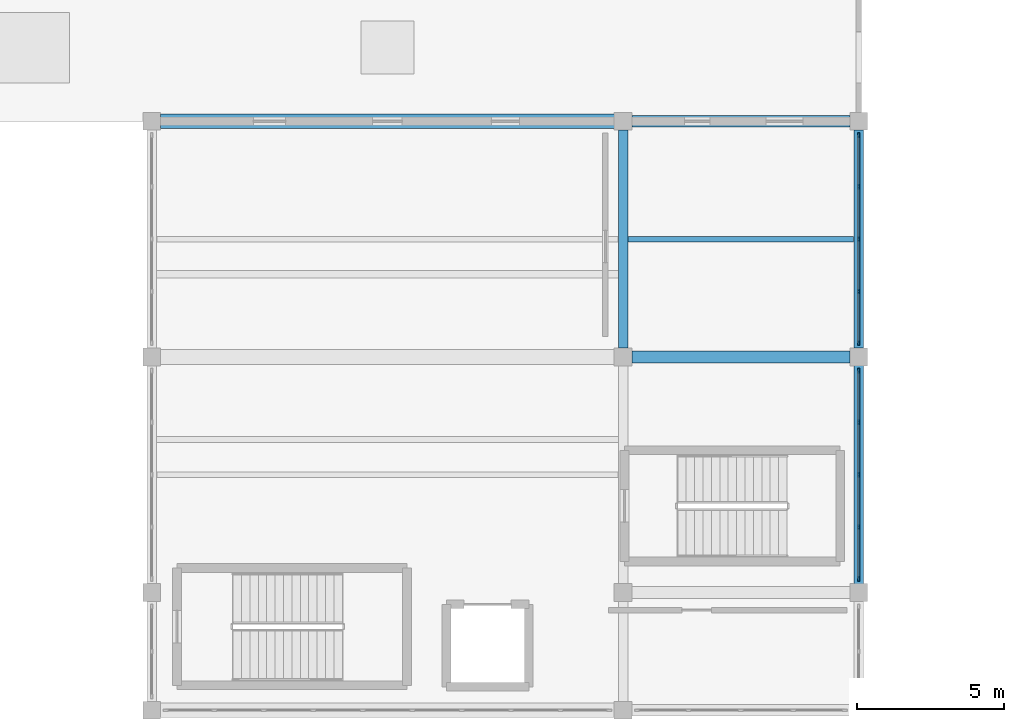
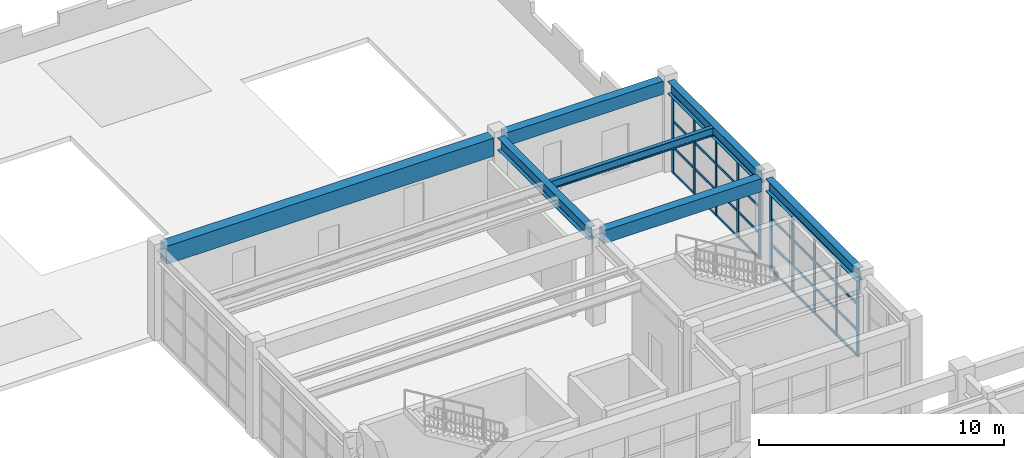
# One storey, part 23 of 59: 42 members, 7 beams, 2 elements without a shape of their own.
"""IFC4 building model written with IfcOpenShell, lengths in metres."""

from ifc_helpers import new_model, si_unit, direction, frame, origin, origin_2d, place, context, subcontext, project, spatial, rectangle, i_section, extrude, material, material_profile, profile_set, type_object, element, aggregate, save


model = new_model("IFC4")

# Units and contexts
model_context = context("Model", 3, precision=1e-05, world=origin(), true_north=direction((0.0, 1.0)))
body_context = subcontext(model_context, "Body", "Model", "MODEL_VIEW")
ifc_project = project(units=[si_unit("LENGTHUNIT", "METRE"), si_unit("AREAUNIT", "SQUARE_METRE"), si_unit("VOLUMEUNIT", "CUBIC_METRE"), si_unit("PLANEANGLEUNIT", "RADIAN"), si_unit("MASSUNIT", "GRAM", prefix="KILO")], contexts=[model_context])

# Site, building, storey
site_placement = place(None, origin())
site = spatial("IfcSite", under=ifc_project, at=site_placement, CompositionType="ELEMENT")
building_placement = place(site_placement, origin())
building = spatial("IfcBuilding", under=site, at=building_placement, Name="Serraluz Foothill Cableway Terminal", CompositionType="ELEMENT")
storey_placement = place(building_placement, frame((0.0, 0.0, 4.800048828125)))
storey = spatial("IfcBuildingStorey", under=building, at=storey_placement, Name="L01", CompositionType="ELEMENT", Elevation=4.800048828125)

# Beams
ifc_material_1 = material(Name="Concrete C28/35 (f'c 28 MPa)", Category="concrete")
ifc_material_profile_1 = material_profile(ifc_material_1, rectangle(XDim=0.39990234375, YDim=0.64990234375, at=origin_2d()), Name="RC 400x650")
ifc_profile_set_1 = profile_set([ifc_material_profile_1], Name="Concrete C28/35 (f'c 28 MPa)")
beam_type_1 = type_object("IfcBeamType", Name="TYP-BM-RC400X650", PredefinedType="BEAM", material=ifc_profile_set_1)
for number, where, z_axis, x_axis, name in (
    (1, (96.2958984375, 88.0, 4.175048828125), (1.0, 0.0, 0.0), (0.0, 1.0, 0.0), "Primary Girder BM-X-L01-0238"),
    (2, (96.2958984375, 96.0, 4.175048828125), (1.0, 0.0, 0.0), (0.0, 1.0, 0.0), "Primary Girder BM-X-L01-0240"),
):
    element("IfcBeam", number, at=place(storey_placement, frame(where, z_axis=z_axis, x_axis=x_axis)), inside=storey, type_object=beam_type_1, Name=name, PredefinedType="BEAM", context=body_context, shape_type="SweptSolid", body=[
        extrude(rectangle(XDim=0.39990234375, YDim=0.64990234375, at=origin_2d()), origin(), (0.0, 0.0, 1.0), 7.408203125),
    ])
ifc_material_2 = material(Name="Concrete C35/45 (f'c 35 MPa)", Category="concrete")
ifc_material_profile_2 = material_profile(ifc_material_2, rectangle(XDim=0.5, YDim=0.89990234375, at=origin_2d()), Name="RC 500x900")
ifc_profile_set_2 = profile_set([ifc_material_profile_2], Name="Concrete C35/45 (f'c 35 MPa)")
beam_type_2 = type_object("IfcBeamType", Name="TYP-BM-RC500X900", PredefinedType="BEAM", material=ifc_profile_set_2)
beam_1_placement = place(storey_placement, frame((80.2958984375, 96.0, 4.050048828125), z_axis=(1.0, 0.0, 0.0), x_axis=(0.0, 1.0, 0.0)))
element("IfcBeam", 3, at=beam_1_placement, inside=storey, type_object=beam_type_2, Name="Primary Girder BM-X-L01-0239", PredefinedType="BEAM", context=body_context, shape_type="SweptSolid", body=[
    extrude(rectangle(XDim=0.5, YDim=0.89990234375, at=origin_2d()), origin(), (0.0, 0.0, 1.0), 15.408203125),
])
ifc_material_3 = material(Name="Steel ASTM A992 Grade 50", Category="steel")
ifc_material_profile_3 = material_profile(ifc_material_3, i_section(OverallWidth=0.324951171875, OverallDepth=0.615966796875, WebThickness=0.013916015625, FlangeThickness=0.021484375, FilletRadius=0.01806640625, at=origin_2d()), Name="W24X117")
ifc_profile_set_3 = profile_set([ifc_material_profile_3], Name="Steel ASTM A992 Grade 50")
beam_type_3 = type_object("IfcBeamType", Name="TYP-BM-W24X117", PredefinedType="BEAM", material=ifc_profile_set_3)
for number, where, z_axis, x_axis, name in (
    (4, (96.0, 88.2958984375, 4.19189453125), (0.0, 1.0, 0.0), (-1.0, 0.0, 0.0), "Transverse Girder BM-Y-L01-0268"),
    (5, (104.0, 80.2958984375, 4.19189453125), (0.0, 1.0, 0.0), (-1.0, 0.0, 0.0), "Transverse Girder BM-Y-L01-0271"),
    (6, (104.0, 88.2958984375, 4.19189453125), (0.0, 1.0, 0.0), (-1.0, 0.0, 0.0), "Transverse Girder BM-Y-L01-0272"),
):
    element("IfcBeam", number, at=place(storey_placement, frame(where, z_axis=z_axis, x_axis=x_axis)), inside=storey, type_object=beam_type_3, Name=name, PredefinedType="BEAM", context=body_context, shape_type="SweptSolid", body=[
        extrude(i_section(OverallWidth=0.324951171875, OverallDepth=0.615966796875, WebThickness=0.013916015625, FlangeThickness=0.021484375, FilletRadius=0.01806640625, at=origin_2d()), origin(), (0.0, 0.0, 1.0), 7.408203125),
    ])

# Curtain wall, members
ifc_material_4 = material(Name="Architectural bronze alloy C28000", Category="aluminium")
curtain_wall_type = type_object("IfcCurtainWallType", Name="TYP-CW-680X420", PredefinedType="NOTDEFINED", material=ifc_material_4)
curtain_wall_1_placement = place(storey_placement, origin())
curtain_wall_1 = element("IfcCurtainWall", 7, at=curtain_wall_1_placement, inside=storey, type_object=curtain_wall_type, Name="Ribbed Glazed Curtain Wall CW-V4E-L01-80", PredefinedType="NOTDEFINED")
ifc_material_profile_4 = material_profile(ifc_material_4, rectangle(XDim=0.06005859375, YDim=0.159912109375, at=origin_2d()), Name="ALU MULLION 60x160")
ifc_profile_set_4 = profile_set([ifc_material_profile_4], Name="Architectural bronze alloy C28000")
member_type_1 = type_object("IfcMemberType", Name="TYP-CW-MUL-60X160", PredefinedType="MULLION", material=ifc_profile_set_4)
member_1_placement = place(storey_placement, frame((104.0, 87.530029296875, 0.0), z_axis=(0.0, 0.0, 1.0), x_axis=(1.0, 0.0, 0.0)))
member_1 = element("IfcMember", 8, at=member_1_placement, type_object=member_type_1, Name="CW-13 mullion 1", PredefinedType="MULLION", context=body_context, shape_type="SweptSolid", body=[
    extrude(rectangle(XDim=0.06005859375, YDim=0.159912109375, at=origin_2d()), origin(), (0.0, 0.0, 1.0), 3.884033203125),
])
member_2_placement = place(storey_placement, frame((104.0, 85.780029296875, 0.0), z_axis=(0.0, 0.0, 1.0), x_axis=(1.0, 0.0, 0.0)))
member_2 = element("IfcMember", 9, at=member_2_placement, type_object=member_type_1, Name="CW-13 mullion 2", PredefinedType="MULLION", context=body_context, shape_type="SweptSolid", body=[
    extrude(rectangle(XDim=0.06005859375, YDim=0.159912109375, at=origin_2d()), origin(), (0.0, 0.0, 1.0), 3.884033203125),
])
member_3_placement = place(storey_placement, frame((104.0, 84.0, 0.0), z_axis=(0.0, 0.0, 1.0), x_axis=(1.0, 0.0, 0.0)))
member_3 = element("IfcMember", 10, at=member_3_placement, type_object=member_type_1, Name="CW-13 mullion 3", PredefinedType="MULLION", context=body_context, shape_type="SweptSolid", body=[
    extrude(rectangle(XDim=0.06005859375, YDim=0.159912109375, at=origin_2d()), origin(), (0.0, 0.0, 1.0), 3.884033203125),
])
member_4_placement = place(storey_placement, frame((104.0, 82.219970703125, 0.0), z_axis=(0.0, 0.0, 1.0), x_axis=(1.0, 0.0, 0.0)))
member_4 = element("IfcMember", 11, at=member_4_placement, type_object=member_type_1, Name="CW-13 mullion 4", PredefinedType="MULLION", context=body_context, shape_type="SweptSolid", body=[
    extrude(rectangle(XDim=0.06005859375, YDim=0.159912109375, at=origin_2d()), origin(), (0.0, 0.0, 1.0), 3.884033203125),
])
member_5_placement = place(storey_placement, frame((104.0, 80.469970703125, 0.0), z_axis=(0.0, 0.0, 1.0), x_axis=(1.0, 0.0, 0.0)))
member_5 = element("IfcMember", 12, at=member_5_placement, type_object=member_type_1, Name="CW-13 mullion 5", PredefinedType="MULLION", context=body_context, shape_type="SweptSolid", body=[
    extrude(rectangle(XDim=0.06005859375, YDim=0.159912109375, at=origin_2d()), origin(), (0.0, 0.0, 1.0), 3.884033203125),
])

curtain_wall_2_placement = place(storey_placement, origin())
curtain_wall_2 = element("IfcCurtainWall", 13, at=curtain_wall_2_placement, inside=storey, type_object=curtain_wall_type, Name="Ribbed Glazed Curtain Wall CW-V4E-L01-88", PredefinedType="NOTDEFINED")
member_6_placement = place(storey_placement, frame((104.0, 95.530029296875, 0.0), z_axis=(0.0, 0.0, 1.0), x_axis=(1.0, 0.0, 0.0)))
member_6 = element("IfcMember", 14, at=member_6_placement, type_object=member_type_1, Name="CW-13 mullion 1", PredefinedType="MULLION", context=body_context, shape_type="SweptSolid", body=[
    extrude(rectangle(XDim=0.06005859375, YDim=0.159912109375, at=origin_2d()), origin(), (0.0, 0.0, 1.0), 3.884033203125),
])
member_7_placement = place(storey_placement, frame((104.0, 93.780029296875, 0.0), z_axis=(0.0, 0.0, 1.0), x_axis=(1.0, 0.0, 0.0)))
member_7 = element("IfcMember", 15, at=member_7_placement, type_object=member_type_1, Name="CW-13 mullion 2", PredefinedType="MULLION", context=body_context, shape_type="SweptSolid", body=[
    extrude(rectangle(XDim=0.06005859375, YDim=0.159912109375, at=origin_2d()), origin(), (0.0, 0.0, 1.0), 3.884033203125),
])
member_8_placement = place(storey_placement, frame((104.0, 92.0, 0.0), z_axis=(0.0, 0.0, 1.0), x_axis=(1.0, 0.0, 0.0)))
member_8 = element("IfcMember", 16, at=member_8_placement, type_object=member_type_1, Name="CW-13 mullion 3", PredefinedType="MULLION", context=body_context, shape_type="SweptSolid", body=[
    extrude(rectangle(XDim=0.06005859375, YDim=0.159912109375, at=origin_2d()), origin(), (0.0, 0.0, 1.0), 3.884033203125),
])
member_9_placement = place(storey_placement, frame((104.0, 90.219970703125, 0.0), z_axis=(0.0, 0.0, 1.0), x_axis=(1.0, 0.0, 0.0)))
member_9 = element("IfcMember", 17, at=member_9_placement, type_object=member_type_1, Name="CW-13 mullion 4", PredefinedType="MULLION", context=body_context, shape_type="SweptSolid", body=[
    extrude(rectangle(XDim=0.06005859375, YDim=0.159912109375, at=origin_2d()), origin(), (0.0, 0.0, 1.0), 3.884033203125),
])
member_10_placement = place(storey_placement, frame((104.0, 88.469970703125, 0.0), z_axis=(0.0, 0.0, 1.0), x_axis=(1.0, 0.0, 0.0)))
member_10 = element("IfcMember", 18, at=member_10_placement, type_object=member_type_1, Name="CW-13 mullion 5", PredefinedType="MULLION", context=body_context, shape_type="SweptSolid", body=[
    extrude(rectangle(XDim=0.06005859375, YDim=0.159912109375, at=origin_2d()), origin(), (0.0, 0.0, 1.0), 3.884033203125),
])

# Member
ifc_material_profile_5 = material_profile(ifc_material_4, rectangle(XDim=0.06005859375, YDim=0.1201171875, at=origin_2d()), Name="ALU TRANSOM 60x120")
ifc_profile_set_5 = profile_set([ifc_material_profile_5], Name="Architectural bronze alloy C28000")
member_type_2 = type_object("IfcMemberType", Name="TYP-CW-TRN-60X120", PredefinedType="USERDEFINED", material=ifc_profile_set_5)
member_11_placement = place(storey_placement, frame((104.0, 87.5, 0.030029296875), z_axis=(0.0, -1.0, 0.0), x_axis=(1.0, 0.0, 0.0)))
member_11 = element("IfcMember", 19, at=member_11_placement, type_object=member_type_2, Name="CW-13 transom 1.1", ObjectType="TRANSOM", PredefinedType="USERDEFINED", context=body_context, shape_type="SweptSolid", body=[
    extrude(rectangle(XDim=0.06005859375, YDim=0.1201171875, at=origin_2d()), origin(), (0.0, 0.0, 1.0), 1.68994140625),
])

member_12_placement = place(storey_placement, frame((104.0, 87.5, 1.294677734375), z_axis=(0.0, -1.0, 0.0), x_axis=(1.0, 0.0, 0.0)))
member_12 = element("IfcMember", 20, at=member_12_placement, type_object=member_type_2, Name="CW-13 transom 1.2", ObjectType="TRANSOM", PredefinedType="USERDEFINED", context=body_context, shape_type="SweptSolid", body=[
    extrude(rectangle(XDim=0.06005859375, YDim=0.1201171875, at=origin_2d()), origin(), (0.0, 0.0, 1.0), 1.68994140625),
])

member_13_placement = place(storey_placement, frame((104.0, 87.5, 2.58935546875), z_axis=(0.0, -1.0, 0.0), x_axis=(1.0, 0.0, 0.0)))
member_13 = element("IfcMember", 21, at=member_13_placement, type_object=member_type_2, Name="CW-13 transom 1.3", ObjectType="TRANSOM", PredefinedType="USERDEFINED", context=body_context, shape_type="SweptSolid", body=[
    extrude(rectangle(XDim=0.06005859375, YDim=0.1201171875, at=origin_2d()), origin(), (0.0, 0.0, 1.0), 1.68994140625),
])

member_14_placement = place(storey_placement, frame((104.0, 87.5, 3.85400390625), z_axis=(0.0, -1.0, 0.0), x_axis=(1.0, 0.0, 0.0)))
member_14 = element("IfcMember", 22, at=member_14_placement, type_object=member_type_2, Name="CW-13 transom 1.4", ObjectType="TRANSOM", PredefinedType="USERDEFINED", context=body_context, shape_type="SweptSolid", body=[
    extrude(rectangle(XDim=0.06005859375, YDim=0.1201171875, at=origin_2d()), origin(), (0.0, 0.0, 1.0), 1.68994140625),
])

member_15_placement = place(storey_placement, frame((104.0, 85.75, 0.030029296875), z_axis=(0.0, -1.0, 0.0), x_axis=(1.0, 0.0, 0.0)))
member_15 = element("IfcMember", 23, at=member_15_placement, type_object=member_type_2, Name="CW-13 transom 2.1", ObjectType="TRANSOM", PredefinedType="USERDEFINED", context=body_context, shape_type="SweptSolid", body=[
    extrude(rectangle(XDim=0.06005859375, YDim=0.1201171875, at=origin_2d()), origin(), (0.0, 0.0, 1.0), 1.719970703125),
])

member_16_placement = place(storey_placement, frame((104.0, 85.75, 1.294677734375), z_axis=(0.0, -1.0, 0.0), x_axis=(1.0, 0.0, 0.0)))
member_16 = element("IfcMember", 24, at=member_16_placement, type_object=member_type_2, Name="CW-13 transom 2.2", ObjectType="TRANSOM", PredefinedType="USERDEFINED", context=body_context, shape_type="SweptSolid", body=[
    extrude(rectangle(XDim=0.06005859375, YDim=0.1201171875, at=origin_2d()), origin(), (0.0, 0.0, 1.0), 1.719970703125),
])

member_17_placement = place(storey_placement, frame((104.0, 85.75, 2.58935546875), z_axis=(0.0, -1.0, 0.0), x_axis=(1.0, 0.0, 0.0)))
member_17 = element("IfcMember", 25, at=member_17_placement, type_object=member_type_2, Name="CW-13 transom 2.3", ObjectType="TRANSOM", PredefinedType="USERDEFINED", context=body_context, shape_type="SweptSolid", body=[
    extrude(rectangle(XDim=0.06005859375, YDim=0.1201171875, at=origin_2d()), origin(), (0.0, 0.0, 1.0), 1.719970703125),
])

member_18_placement = place(storey_placement, frame((104.0, 85.75, 3.85400390625), z_axis=(0.0, -1.0, 0.0), x_axis=(1.0, 0.0, 0.0)))
member_18 = element("IfcMember", 26, at=member_18_placement, type_object=member_type_2, Name="CW-13 transom 2.4", ObjectType="TRANSOM", PredefinedType="USERDEFINED", context=body_context, shape_type="SweptSolid", body=[
    extrude(rectangle(XDim=0.06005859375, YDim=0.1201171875, at=origin_2d()), origin(), (0.0, 0.0, 1.0), 1.719970703125),
])

member_19_placement = place(storey_placement, frame((104.0, 83.969970703125, 0.030029296875), z_axis=(0.0, -1.0, 0.0), x_axis=(1.0, 0.0, 0.0)))
member_19 = element("IfcMember", 27, at=member_19_placement, type_object=member_type_2, Name="CW-13 transom 3.1", ObjectType="TRANSOM", PredefinedType="USERDEFINED", context=body_context, shape_type="SweptSolid", body=[
    extrude(rectangle(XDim=0.06005859375, YDim=0.1201171875, at=origin_2d()), origin(), (0.0, 0.0, 1.0), 1.719970703125),
])

member_20_placement = place(storey_placement, frame((104.0, 83.969970703125, 1.294677734375), z_axis=(0.0, -1.0, 0.0), x_axis=(1.0, 0.0, 0.0)))
member_20 = element("IfcMember", 28, at=member_20_placement, type_object=member_type_2, Name="CW-13 transom 3.2", ObjectType="TRANSOM", PredefinedType="USERDEFINED", context=body_context, shape_type="SweptSolid", body=[
    extrude(rectangle(XDim=0.06005859375, YDim=0.1201171875, at=origin_2d()), origin(), (0.0, 0.0, 1.0), 1.719970703125),
])

member_21_placement = place(storey_placement, frame((104.0, 83.969970703125, 2.58935546875), z_axis=(0.0, -1.0, 0.0), x_axis=(1.0, 0.0, 0.0)))
member_21 = element("IfcMember", 29, at=member_21_placement, type_object=member_type_2, Name="CW-13 transom 3.3", ObjectType="TRANSOM", PredefinedType="USERDEFINED", context=body_context, shape_type="SweptSolid", body=[
    extrude(rectangle(XDim=0.06005859375, YDim=0.1201171875, at=origin_2d()), origin(), (0.0, 0.0, 1.0), 1.719970703125),
])

member_22_placement = place(storey_placement, frame((104.0, 83.969970703125, 3.85400390625), z_axis=(0.0, -1.0, 0.0), x_axis=(1.0, 0.0, 0.0)))
member_22 = element("IfcMember", 30, at=member_22_placement, type_object=member_type_2, Name="CW-13 transom 3.4", ObjectType="TRANSOM", PredefinedType="USERDEFINED", context=body_context, shape_type="SweptSolid", body=[
    extrude(rectangle(XDim=0.06005859375, YDim=0.1201171875, at=origin_2d()), origin(), (0.0, 0.0, 1.0), 1.719970703125),
])

member_23_placement = place(storey_placement, frame((104.0, 82.18994140625, 0.030029296875), z_axis=(0.0, -1.0, 0.0), x_axis=(1.0, 0.0, 0.0)))
member_23 = element("IfcMember", 31, at=member_23_placement, type_object=member_type_2, Name="CW-13 transom 4.1", ObjectType="TRANSOM", PredefinedType="USERDEFINED", context=body_context, shape_type="SweptSolid", body=[
    extrude(rectangle(XDim=0.06005859375, YDim=0.1201171875, at=origin_2d()), origin(), (0.0, 0.0, 1.0), 1.68994140625),
])

member_24_placement = place(storey_placement, frame((104.0, 82.18994140625, 1.294677734375), z_axis=(0.0, -1.0, 0.0), x_axis=(1.0, 0.0, 0.0)))
member_24 = element("IfcMember", 32, at=member_24_placement, type_object=member_type_2, Name="CW-13 transom 4.2", ObjectType="TRANSOM", PredefinedType="USERDEFINED", context=body_context, shape_type="SweptSolid", body=[
    extrude(rectangle(XDim=0.06005859375, YDim=0.1201171875, at=origin_2d()), origin(), (0.0, 0.0, 1.0), 1.68994140625),
])

member_25_placement = place(storey_placement, frame((104.0, 82.18994140625, 2.58935546875), z_axis=(0.0, -1.0, 0.0), x_axis=(1.0, 0.0, 0.0)))
member_25 = element("IfcMember", 33, at=member_25_placement, type_object=member_type_2, Name="CW-13 transom 4.3", ObjectType="TRANSOM", PredefinedType="USERDEFINED", context=body_context, shape_type="SweptSolid", body=[
    extrude(rectangle(XDim=0.06005859375, YDim=0.1201171875, at=origin_2d()), origin(), (0.0, 0.0, 1.0), 1.68994140625),
])

member_26_placement = place(storey_placement, frame((104.0, 82.18994140625, 3.85400390625), z_axis=(0.0, -1.0, 0.0), x_axis=(1.0, 0.0, 0.0)))
member_26 = element("IfcMember", 34, at=member_26_placement, type_object=member_type_2, Name="CW-13 transom 4.4", ObjectType="TRANSOM", PredefinedType="USERDEFINED", context=body_context, shape_type="SweptSolid", body=[
    extrude(rectangle(XDim=0.06005859375, YDim=0.1201171875, at=origin_2d()), origin(), (0.0, 0.0, 1.0), 1.68994140625),
])

aggregate(curtain_wall_1, [member_1, member_2, member_3, member_4, member_5, member_11, member_12, member_13, member_14, member_15, member_16, member_17, member_18, member_19, member_20, member_21, member_22, member_23, member_24, member_25, member_26])

member_27_placement = place(storey_placement, frame((104.0, 95.5, 0.030029296875), z_axis=(0.0, -1.0, 0.0), x_axis=(1.0, 0.0, 0.0)))
member_27 = element("IfcMember", 35, at=member_27_placement, type_object=member_type_2, Name="CW-13 transom 1.1", ObjectType="TRANSOM", PredefinedType="USERDEFINED", context=body_context, shape_type="SweptSolid", body=[
    extrude(rectangle(XDim=0.06005859375, YDim=0.1201171875, at=origin_2d()), origin(), (0.0, 0.0, 1.0), 1.68994140625),
])

member_28_placement = place(storey_placement, frame((104.0, 95.5, 1.294677734375), z_axis=(0.0, -1.0, 0.0), x_axis=(1.0, 0.0, 0.0)))
member_28 = element("IfcMember", 36, at=member_28_placement, type_object=member_type_2, Name="CW-13 transom 1.2", ObjectType="TRANSOM", PredefinedType="USERDEFINED", context=body_context, shape_type="SweptSolid", body=[
    extrude(rectangle(XDim=0.06005859375, YDim=0.1201171875, at=origin_2d()), origin(), (0.0, 0.0, 1.0), 1.68994140625),
])

member_29_placement = place(storey_placement, frame((104.0, 95.5, 2.58935546875), z_axis=(0.0, -1.0, 0.0), x_axis=(1.0, 0.0, 0.0)))
member_29 = element("IfcMember", 37, at=member_29_placement, type_object=member_type_2, Name="CW-13 transom 1.3", ObjectType="TRANSOM", PredefinedType="USERDEFINED", context=body_context, shape_type="SweptSolid", body=[
    extrude(rectangle(XDim=0.06005859375, YDim=0.1201171875, at=origin_2d()), origin(), (0.0, 0.0, 1.0), 1.68994140625),
])

member_30_placement = place(storey_placement, frame((104.0, 95.5, 3.85400390625), z_axis=(0.0, -1.0, 0.0), x_axis=(1.0, 0.0, 0.0)))
member_30 = element("IfcMember", 38, at=member_30_placement, type_object=member_type_2, Name="CW-13 transom 1.4", ObjectType="TRANSOM", PredefinedType="USERDEFINED", context=body_context, shape_type="SweptSolid", body=[
    extrude(rectangle(XDim=0.06005859375, YDim=0.1201171875, at=origin_2d()), origin(), (0.0, 0.0, 1.0), 1.68994140625),
])

member_31_placement = place(storey_placement, frame((104.0, 93.75, 0.030029296875), z_axis=(0.0, -1.0, 0.0), x_axis=(1.0, 0.0, 0.0)))
member_31 = element("IfcMember", 39, at=member_31_placement, type_object=member_type_2, Name="CW-13 transom 2.1", ObjectType="TRANSOM", PredefinedType="USERDEFINED", context=body_context, shape_type="SweptSolid", body=[
    extrude(rectangle(XDim=0.06005859375, YDim=0.1201171875, at=origin_2d()), origin(), (0.0, 0.0, 1.0), 1.719970703125),
])

member_32_placement = place(storey_placement, frame((104.0, 93.75, 1.294677734375), z_axis=(0.0, -1.0, 0.0), x_axis=(1.0, 0.0, 0.0)))
member_32 = element("IfcMember", 40, at=member_32_placement, type_object=member_type_2, Name="CW-13 transom 2.2", ObjectType="TRANSOM", PredefinedType="USERDEFINED", context=body_context, shape_type="SweptSolid", body=[
    extrude(rectangle(XDim=0.06005859375, YDim=0.1201171875, at=origin_2d()), origin(), (0.0, 0.0, 1.0), 1.719970703125),
])

member_33_placement = place(storey_placement, frame((104.0, 93.75, 2.58935546875), z_axis=(0.0, -1.0, 0.0), x_axis=(1.0, 0.0, 0.0)))
member_33 = element("IfcMember", 41, at=member_33_placement, type_object=member_type_2, Name="CW-13 transom 2.3", ObjectType="TRANSOM", PredefinedType="USERDEFINED", context=body_context, shape_type="SweptSolid", body=[
    extrude(rectangle(XDim=0.06005859375, YDim=0.1201171875, at=origin_2d()), origin(), (0.0, 0.0, 1.0), 1.719970703125),
])

member_34_placement = place(storey_placement, frame((104.0, 93.75, 3.85400390625), z_axis=(0.0, -1.0, 0.0), x_axis=(1.0, 0.0, 0.0)))
member_34 = element("IfcMember", 42, at=member_34_placement, type_object=member_type_2, Name="CW-13 transom 2.4", ObjectType="TRANSOM", PredefinedType="USERDEFINED", context=body_context, shape_type="SweptSolid", body=[
    extrude(rectangle(XDim=0.06005859375, YDim=0.1201171875, at=origin_2d()), origin(), (0.0, 0.0, 1.0), 1.719970703125),
])

member_35_placement = place(storey_placement, frame((104.0, 91.969970703125, 0.030029296875), z_axis=(0.0, -1.0, 0.0), x_axis=(1.0, 0.0, 0.0)))
member_35 = element("IfcMember", 43, at=member_35_placement, type_object=member_type_2, Name="CW-13 transom 3.1", ObjectType="TRANSOM", PredefinedType="USERDEFINED", context=body_context, shape_type="SweptSolid", body=[
    extrude(rectangle(XDim=0.06005859375, YDim=0.1201171875, at=origin_2d()), origin(), (0.0, 0.0, 1.0), 1.719970703125),
])

member_36_placement = place(storey_placement, frame((104.0, 91.969970703125, 1.294677734375), z_axis=(0.0, -1.0, 0.0), x_axis=(1.0, 0.0, 0.0)))
member_36 = element("IfcMember", 44, at=member_36_placement, type_object=member_type_2, Name="CW-13 transom 3.2", ObjectType="TRANSOM", PredefinedType="USERDEFINED", context=body_context, shape_type="SweptSolid", body=[
    extrude(rectangle(XDim=0.06005859375, YDim=0.1201171875, at=origin_2d()), origin(), (0.0, 0.0, 1.0), 1.719970703125),
])

member_37_placement = place(storey_placement, frame((104.0, 91.969970703125, 2.58935546875), z_axis=(0.0, -1.0, 0.0), x_axis=(1.0, 0.0, 0.0)))
member_37 = element("IfcMember", 45, at=member_37_placement, type_object=member_type_2, Name="CW-13 transom 3.3", ObjectType="TRANSOM", PredefinedType="USERDEFINED", context=body_context, shape_type="SweptSolid", body=[
    extrude(rectangle(XDim=0.06005859375, YDim=0.1201171875, at=origin_2d()), origin(), (0.0, 0.0, 1.0), 1.719970703125),
])

member_38_placement = place(storey_placement, frame((104.0, 91.969970703125, 3.85400390625), z_axis=(0.0, -1.0, 0.0), x_axis=(1.0, 0.0, 0.0)))
member_38 = element("IfcMember", 46, at=member_38_placement, type_object=member_type_2, Name="CW-13 transom 3.4", ObjectType="TRANSOM", PredefinedType="USERDEFINED", context=body_context, shape_type="SweptSolid", body=[
    extrude(rectangle(XDim=0.06005859375, YDim=0.1201171875, at=origin_2d()), origin(), (0.0, 0.0, 1.0), 1.719970703125),
])

member_39_placement = place(storey_placement, frame((104.0, 90.18994140625, 0.030029296875), z_axis=(0.0, -1.0, 0.0), x_axis=(1.0, 0.0, 0.0)))
member_39 = element("IfcMember", 47, at=member_39_placement, type_object=member_type_2, Name="CW-13 transom 4.1", ObjectType="TRANSOM", PredefinedType="USERDEFINED", context=body_context, shape_type="SweptSolid", body=[
    extrude(rectangle(XDim=0.06005859375, YDim=0.1201171875, at=origin_2d()), origin(), (0.0, 0.0, 1.0), 1.68994140625),
])

member_40_placement = place(storey_placement, frame((104.0, 90.18994140625, 1.294677734375), z_axis=(0.0, -1.0, 0.0), x_axis=(1.0, 0.0, 0.0)))
member_40 = element("IfcMember", 48, at=member_40_placement, type_object=member_type_2, Name="CW-13 transom 4.2", ObjectType="TRANSOM", PredefinedType="USERDEFINED", context=body_context, shape_type="SweptSolid", body=[
    extrude(rectangle(XDim=0.06005859375, YDim=0.1201171875, at=origin_2d()), origin(), (0.0, 0.0, 1.0), 1.68994140625),
])

member_41_placement = place(storey_placement, frame((104.0, 90.18994140625, 2.58935546875), z_axis=(0.0, -1.0, 0.0), x_axis=(1.0, 0.0, 0.0)))
member_41 = element("IfcMember", 49, at=member_41_placement, type_object=member_type_2, Name="CW-13 transom 4.3", ObjectType="TRANSOM", PredefinedType="USERDEFINED", context=body_context, shape_type="SweptSolid", body=[
    extrude(rectangle(XDim=0.06005859375, YDim=0.1201171875, at=origin_2d()), origin(), (0.0, 0.0, 1.0), 1.68994140625),
])

member_42_placement = place(storey_placement, frame((104.0, 90.18994140625, 3.85400390625), z_axis=(0.0, -1.0, 0.0), x_axis=(1.0, 0.0, 0.0)))
member_42 = element("IfcMember", 50, at=member_42_placement, type_object=member_type_2, Name="CW-13 transom 4.4", ObjectType="TRANSOM", PredefinedType="USERDEFINED", context=body_context, shape_type="SweptSolid", body=[
    extrude(rectangle(XDim=0.06005859375, YDim=0.1201171875, at=origin_2d()), origin(), (0.0, 0.0, 1.0), 1.68994140625),
])

aggregate(curtain_wall_2, [member_6, member_7, member_8, member_9, member_10, member_27, member_28, member_29, member_30, member_31, member_32, member_33, member_34, member_35, member_36, member_37, member_38, member_39, member_40, member_41, member_42])

# Beam
ifc_material_profile_6 = material_profile(ifc_material_3, i_section(OverallWidth=0.180908203125, OverallDepth=0.4169921875, WebThickness=0.010986328125, FlangeThickness=0.018310546875, FilletRadius=0.013916015625, at=origin_2d()), Name="W16X57")
ifc_profile_set_6 = profile_set([ifc_material_profile_6], Name="Steel ASTM A992 Grade 50")
beam_type_4 = type_object("IfcBeamType", Name="TYP-JS-W16X57", PredefinedType="JOIST", material=ifc_profile_set_6)
beam_2_placement = place(storey_placement, frame((96.16748046875, 92.0, 4.29150390625), z_axis=(1.0, 0.0, 0.0), x_axis=(0.0, 1.0, 0.0)))
element("IfcBeam", 51, at=beam_2_placement, inside=storey, type_object=beam_type_4, Name="Secondary Floor Joist JS-L01-0095", PredefinedType="JOIST", context=body_context, shape_type="SweptSolid", body=[
    extrude(i_section(OverallWidth=0.180908203125, OverallDepth=0.4169921875, WebThickness=0.010986328125, FlangeThickness=0.018310546875, FilletRadius=0.013916015625, at=origin_2d()), origin(), (0.0, 0.0, 1.0), 7.6650390625),
])

save(model, "model.ifc")
